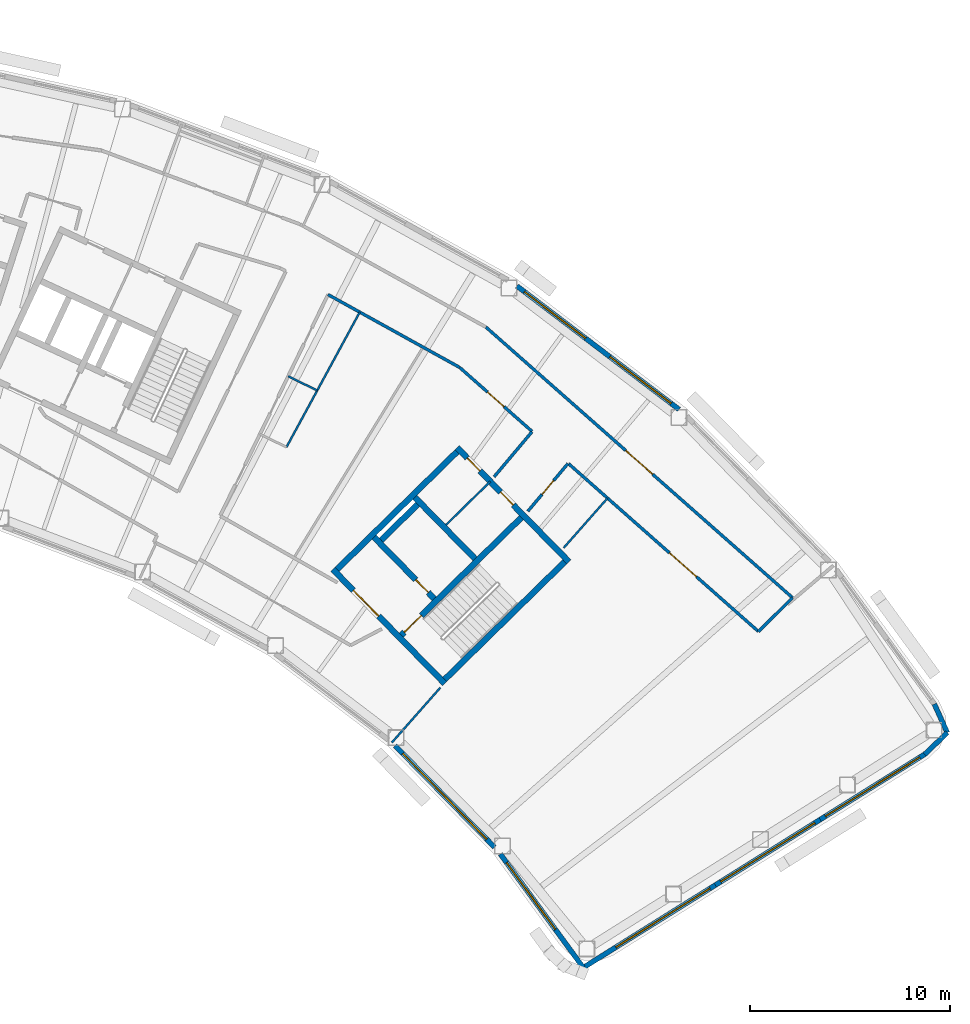
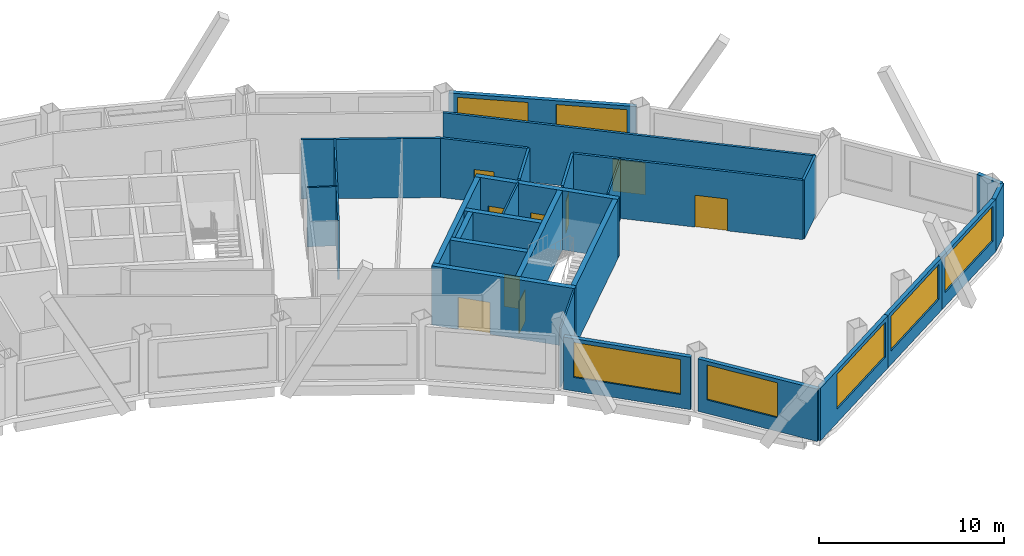
# One storey, part 9 of 14: 28 walls, 9 doors, 7 windows, 16 openings.
"""IFC4 building model written with IfcOpenShell, lengths in metres."""

from ifc_helpers import new_model, si_unit, direction, frame, frame_2d, origin, place, context, subcontext, project, spatial, rectangle, extrude, material, layer, layer_set, type_object, element, fill, save


model = new_model("IFC4")

# Units and contexts
model_context = context("Model", 3, precision=1e-05, world=origin(), true_north=direction((0.0, 1.0)))
body_context = subcontext(model_context, "Body", "Model", "MODEL_VIEW")
ifc_project = project(units=[si_unit("LENGTHUNIT", "METRE"), si_unit("AREAUNIT", "SQUARE_METRE"), si_unit("VOLUMEUNIT", "CUBIC_METRE"), si_unit("PLANEANGLEUNIT", "RADIAN"), si_unit("MASSUNIT", "GRAM", prefix="KILO")], contexts=[model_context])

# Site, building, storey
site_placement = place(None, origin())
site = spatial("IfcSite", under=ifc_project, at=site_placement, CompositionType="ELEMENT")
building_placement = place(site_placement, origin())
building = spatial("IfcBuilding", under=site, at=building_placement, Name="Tuul Gate Civic Tower", CompositionType="ELEMENT")
storey_placement = place(building_placement, frame((0.0, 0.0, 256.800048828125)))
storey = spatial("IfcBuildingStorey", under=building, at=storey_placement, Name="Level 58", CompositionType="ELEMENT", Elevation=256.800048828125)

# Wall, opening, door
ifc_material_1 = material(Name="Concrete C50/60", Category="concrete")
ifc_layer_1 = layer(ifc_material_1, 0.300048828125)
ifc_layer_set_1 = layer_set([ifc_layer_1], Name="Concrete C50/60")
wall_type_1 = type_object("IfcWallType", Name="Core wall C50/60", PredefinedType="SHEAR", material=ifc_layer_set_1)
wall_1_placement = place(storey_placement, frame((48.22509765625, -18.327880859375, 0.0), z_axis=(0.0, 0.0, 1.0), x_axis=(-0.700021979774, 0.714121297703, 0.0)))
wall_1 = element("IfcWall", 1, at=wall_1_placement, inside=storey, type_object=wall_type_1, Name="Core wall", PredefinedType="SHEAR", context=body_context, shape_type="SweptSolid", body=[
    extrude(rectangle(XDim=8.0, YDim=0.300048828125, at=frame_2d((4.0, 0.0))), origin(), (0.0, 0.0, 1.0), 3.89990234375),
])
opening_1_placement = place(wall_1_placement, frame((4.72509765625, 0.0, 0.0)))
opening_1 = element("IfcOpeningElement", 2, at=opening_1_placement, cuts=wall_1, Name="Opening LB-E1-LOBBY-1", PredefinedType="OPENING", context=body_context, shape_type="SweptSolid", body=[
    extrude(rectangle(XDim=1.800048828125, YDim=2.10009765625, at=frame_2d((0.89990234375, 1.050048828125))), frame((0.0, 0.16015625, 0.0), z_axis=(0.0, -1.0, 0.0), x_axis=(1.0, 0.0, 0.0)), (0.0, 0.0, 1.0), 0.320068359375),
])
ifc_material_2 = material(Name="Steel", Category="steel")
door_type_1 = type_object("IfcDoorType", Name="Lobby door", OperationType="DOUBLE_DOOR_SINGLE_SWING", PredefinedType="DOOR", material=ifc_material_2)
door_1_placement = place(opening_1_placement, frame((1.800048828125, 0.0, 0.0), z_axis=(0.0, 0.0, 1.0), x_axis=(-1.0, 0.0, 0.0)))
door_1 = element("IfcDoor", 3, at=door_1_placement, inside=storey, type_object=door_type_1, Name="Lobby door E1-LOBBY", OperationType="DOUBLE_DOOR_SINGLE_SWING", OverallHeight=2.10009765625, OverallWidth=1.800048828125, PredefinedType="DOOR", context=body_context, shape_type="SweptSolid", body=[
    extrude(rectangle(XDim=1.800048828125, YDim=2.10009765625, at=frame_2d((0.900146484375, 1.050048828125))), frame((0.0, 0.02490234375, 0.0), z_axis=(0.0, -1.0, 0.0), x_axis=(1.0, 0.0, 0.0)), (0.0, 0.0, 1.0), 0.050048828125),
])
fill(opening_1, door_1)

wall_2_placement = place(storey_placement, frame((47.701904296875, -14.079833984375, 0.0), z_axis=(0.0, 0.0, 1.0), x_axis=(-0.700002721075, 0.714140175657, 0.0)))
wall_2 = element("IfcWall", 4, at=wall_2_placement, inside=storey, type_object=wall_type_1, Name="Core wall", PredefinedType="SHEAR", context=body_context, shape_type="SweptSolid", body=[
    extrude(rectangle(XDim=4.300048828125, YDim=0.300048828125, at=frame_2d((2.14990234375, 0.0))), origin(), (0.0, 0.0, 1.0), 3.89990234375),
])
opening_2_placement = place(wall_2_placement, frame((0.425048828125, 0.0, 0.0)))
opening_2 = element("IfcOpeningElement", 5, at=opening_2_placement, cuts=wall_2, Name="Opening FB-E1A1", PredefinedType="OPENING", context=body_context, shape_type="SweptSolid", body=[
    extrude(rectangle(XDim=0.89990234375, YDim=2.10009765625, at=frame_2d((0.449951171875, 1.050048828125))), frame((0.0, 0.16015625, 0.0), z_axis=(0.0, -1.0, 0.0), x_axis=(1.0, 0.0, 0.0)), (0.0, 0.0, 1.0), 0.320068359375),
])
ifc_material_3 = material(Name="Steel", Category="steel")
door_type_2 = type_object("IfcDoorType", Name="Store door", OperationType="NOTDEFINED", PredefinedType="DOOR", material=ifc_material_3)
door_2_placement = place(opening_2_placement, frame((0.89990234375, 0.0, 0.0), z_axis=(0.0, 0.0, 1.0), x_axis=(-1.0, 0.0, 0.0)))
door_2 = element("IfcDoor", 6, at=door_2_placement, inside=storey, type_object=door_type_2, Name="Store door E1A1", OperationType="SINGLE_SWING_RIGHT", OverallHeight=2.10009765625, OverallWidth=0.89990234375, PredefinedType="DOOR", context=body_context, shape_type="SweptSolid", body=[
    extrude(rectangle(XDim=0.89990234375, YDim=2.10009765625, at=frame_2d((0.449951171875, 1.050048828125))), frame((0.0, 0.02490234375, 0.0), z_axis=(0.0, -1.0, 0.0), x_axis=(1.0, 0.0, 0.0)), (0.0, 0.0, 1.0), 0.050048828125),
])
fill(opening_2, door_2)

# Wall
wall_3_placement = place(storey_placement, frame((49.737060546875, -12.0849609375, 0.0), z_axis=(0.0, 0.0, 1.0), x_axis=(-0.700002721075, 0.714140175657, 0.0)))
element("IfcWall", 7, at=wall_3_placement, inside=storey, type_object=wall_type_1, Name="Core wall", PredefinedType="SHEAR", context=body_context, shape_type="SweptSolid", body=[
    extrude(rectangle(XDim=4.300048828125, YDim=0.300048828125, at=frame_2d((2.14990234375, 0.0))), origin(), (0.0, 0.0, 1.0), 3.89990234375),
])

# Wall, openings, doors
wall_4_placement = place(storey_placement, frame((54.43798828125, -12.23779296875, 0.0), z_axis=(0.0, 0.0, 1.0), x_axis=(-0.700021979774, 0.714121297703, 0.0)))
wall_4 = element("IfcWall", 8, at=wall_4_placement, inside=storey, type_object=wall_type_1, Name="Core wall", PredefinedType="SHEAR", context=body_context, shape_type="SweptSolid", body=[
    extrude(rectangle(XDim=8.0, YDim=0.300048828125, at=frame_2d((4.0, 0.0))), origin(), (0.0, 0.0, 1.0), 3.89990234375),
])
opening_3_placement = place(wall_4_placement, frame((3.987548828125, 0.0, 0.0)))
opening_3 = element("IfcOpeningElement", 9, at=opening_3_placement, cuts=wall_4, Name="Opening V-D28", PredefinedType="OPENING", context=body_context, shape_type="SweptSolid", body=[
    extrude(rectangle(XDim=0.89990234375, YDim=2.10009765625, at=frame_2d((0.449951171875, 1.050048828125))), frame((0.0, 0.16015625, 0.0), z_axis=(0.0, -1.0, 0.0), x_axis=(1.0, 0.0, 0.0)), (0.0, 0.0, 1.0), 0.320068359375),
])
opening_4_placement = place(wall_4_placement, frame((6.362548828125, 0.0, 0.0)))
opening_4 = element("IfcOpeningElement", 10, at=opening_4_placement, cuts=wall_4, Name="Opening V-D29", PredefinedType="OPENING", context=body_context, shape_type="SweptSolid", body=[
    extrude(rectangle(XDim=0.89990234375, YDim=2.10009765625, at=frame_2d((0.449951171875, 1.050048828125))), frame((0.0, 0.16015625, 0.0), z_axis=(0.0, -1.0, 0.0), x_axis=(1.0, 0.0, 0.0)), (0.0, 0.0, 1.0), 0.320068359375),
])
ifc_material_4 = material(Name="Timber door leaf", Category="wood")
door_type_3 = type_object("IfcDoorType", Name="Door D09", OperationType="NOTDEFINED", PredefinedType="DOOR", material=ifc_material_4)
door_3_placement = place(opening_3_placement, origin())
door_3 = element("IfcDoor", 11, at=door_3_placement, inside=storey, type_object=door_type_3, Name="Door V-D28", OperationType="SINGLE_SWING_LEFT", OverallHeight=2.10009765625, OverallWidth=0.89990234375, PredefinedType="DOOR", context=body_context, shape_type="SweptSolid", body=[
    extrude(rectangle(XDim=0.89990234375, YDim=2.10009765625, at=frame_2d((0.449951171875, 1.050048828125))), frame((0.0, 0.02490234375, 0.0), z_axis=(0.0, -1.0, 0.0), x_axis=(1.0, 0.0, 0.0)), (0.0, 0.0, 1.0), 0.050048828125),
])
fill(opening_3, door_3)
door_4_placement = place(opening_4_placement, origin())
door_4 = element("IfcDoor", 12, at=door_4_placement, inside=storey, type_object=door_type_3, Name="Door V-D29", OperationType="SINGLE_SWING_LEFT", OverallHeight=2.10009765625, OverallWidth=0.89990234375, PredefinedType="DOOR", context=body_context, shape_type="SweptSolid", body=[
    extrude(rectangle(XDim=0.89990234375, YDim=2.10009765625, at=frame_2d((0.449951171875, 1.050048828125))), frame((0.0, 0.02490234375, 0.0), z_axis=(0.0, -1.0, 0.0), x_axis=(1.0, 0.0, 0.0)), (0.0, 0.0, 1.0), 0.050048828125),
])
fill(opening_4, door_4)

# Wall
wall_5_placement = place(storey_placement, frame((48.227294921875, -18.115966796875, 0.0), z_axis=(0.0, 0.0, 1.0), x_axis=(0.714105315431, 0.700038283577, 0.0)))
element("IfcWall", 13, at=wall_5_placement, inside=storey, type_object=wall_type_1, Name="Core wall", PredefinedType="SHEAR", context=body_context, shape_type="SweptSolid", body=[
    extrude(rectangle(XDim=8.400146484375, YDim=0.300048828125, at=frame_2d((4.2001953125, 0.0))), origin(), (0.0, 0.0, 1.0), 3.89990234375),
])

# Wall, opening, door
wall_6_placement = place(storey_placement, frame((46.05712890625, -15.902099609375, 0.0), z_axis=(0.0, 0.0, 1.0), x_axis=(0.714134086973, 0.700008932674, 0.0)))
wall_6 = element("IfcWall", 14, at=wall_6_placement, inside=storey, type_object=wall_type_1, Name="Core wall", PredefinedType="SHEAR", context=body_context, shape_type="SweptSolid", body=[
    extrude(rectangle(XDim=8.400146484375, YDim=0.300048828125, at=frame_2d((4.2001953125, 0.0))), origin(), (0.0, 0.0, 1.0), 3.89990234375),
])
opening_5_placement = place(wall_6_placement, frame((0.199951171875, 0.0, 0.0)))
opening_5 = element("IfcOpeningElement", 15, at=opening_5_placement, cuts=wall_6, Name="Opening SD-ST-3", PredefinedType="OPENING", context=body_context, shape_type="SweptSolid", body=[
    extrude(rectangle(XDim=1.199951171875, YDim=2.10009765625, at=frame_2d((0.60009765625, 1.050048828125))), frame((0.0, 0.16015625, 0.0), z_axis=(0.0, -1.0, 0.0), x_axis=(1.0, 0.0, 0.0)), (0.0, 0.0, 1.0), 0.320068359375),
])
ifc_material_5 = material(Name="Steel", Category="steel")
door_type_4 = type_object("IfcDoorType", Name="Stair door", OperationType="NOTDEFINED", PredefinedType="DOOR", material=ifc_material_5)
door_5_placement = place(opening_5_placement, origin())
door_5 = element("IfcDoor", 16, at=door_5_placement, inside=storey, type_object=door_type_4, Name="Stair door ST-3", OperationType="SINGLE_SWING_LEFT", OverallHeight=2.10009765625, OverallWidth=1.199951171875, PredefinedType="DOOR", context=body_context, shape_type="SweptSolid", body=[
    extrude(rectangle(XDim=1.199951171875, YDim=2.10009765625, at=frame_2d((0.60009765625, 1.050048828125))), frame((0.0, 0.02490234375, 0.0), z_axis=(0.0, -1.0, 0.0), x_axis=(1.0, 0.0, 0.0)), (0.0, 0.0, 1.0), 0.050048828125),
])
fill(opening_5, door_5)

# Walls
wall_7_placement = place(storey_placement, frame((45.0439453125, -11.154052734375, 0.0), z_axis=(0.0, 0.0, 1.0), x_axis=(0.714108498262, 0.700035036773, 0.0)))
element("IfcWall", 17, at=wall_7_placement, inside=storey, type_object=wall_type_1, Name="Core wall", PredefinedType="SHEAR", context=body_context, shape_type="SweptSolid", body=[
    extrude(rectangle(XDim=2.550048828125, YDim=0.300048828125, at=frame_2d((1.27490234375, 0.0))), origin(), (0.0, 0.0, 1.0), 3.89990234375),
])
wall_8_placement = place(storey_placement, frame((42.837158203125, -12.616943359375, 0.0), z_axis=(0.0, 0.0, 1.0), x_axis=(0.714119844755, 0.700023461983, 0.0)))
element("IfcWall", 18, at=wall_8_placement, inside=storey, type_object=wall_type_1, Name="Core wall", PredefinedType="SHEAR", context=body_context, shape_type="SweptSolid", body=[
    extrude(rectangle(XDim=8.39990234375, YDim=0.300048828125, at=frame_2d((4.199951171875, 0.0))), origin(), (0.0, 0.0, 1.0), 3.89990234375),
])
ifc_material_6 = material(Name="Gypsum board partition")
ifc_layer_2 = layer(ifc_material_6, 0.14990234375)
ifc_layer_set_2 = layer_set([ifc_layer_2], Name="Gypsum board partition")
wall_type_2 = type_object("IfcWallType", Name="Corridor wall P150", PredefinedType="PARTITIONING", material=ifc_layer_set_2)
wall_9_placement = place(storey_placement, frame((63.91015625, -15.72119140625, 0.0), z_axis=(0.0, 0.0, 1.0), x_axis=(0.711669598432, 0.702514329155, 0.0)))
element("IfcWall", 19, at=wall_9_placement, inside=storey, type_object=wall_type_2, Name="p005", PredefinedType="PARTITIONING", context=body_context, shape_type="SweptSolid", body=[
    extrude(rectangle(XDim=2.39990234375, YDim=0.14990234375, at=frame_2d((1.199951171875, 0.0))), origin(), (0.0, 0.0, 1.0), 3.89990234375),
])

# Wall, opening, door
wall_10_placement = place(storey_placement, frame((50.28125, -0.499267578125, 0.0), z_axis=(0.0, 0.0, 1.0), x_axis=(0.749757392986, -0.661712816608, 0.0)))
wall_10 = element("IfcWall", 20, at=wall_10_placement, inside=storey, type_object=wall_type_2, Name="p006", PredefinedType="PARTITIONING", context=body_context, shape_type="SweptSolid", body=[
    extrude(rectangle(XDim=20.455810546875, YDim=0.14990234375, at=frame_2d((10.22802734375, 0.0))), origin(), (0.0, 0.0, 1.0), 3.89990234375),
])
opening_6_placement = place(wall_10_placement, frame((9.327880859375, 0.0, 0.0)))
opening_6 = element("IfcOpeningElement", 21, at=opening_6_placement, cuts=wall_10, Name="Opening V-D01", PredefinedType="OPENING", context=body_context, shape_type="SweptSolid", body=[
    extrude(rectangle(XDim=1.800048828125, YDim=2.10009765625, at=frame_2d((0.89990234375, 1.050048828125))), frame((0.0, 0.0849609375, 0.0), z_axis=(0.0, -1.0, 0.0), x_axis=(1.0, 0.0, 0.0)), (0.0, 0.0, 1.0), 0.169921875),
])
ifc_material_7 = material(Name="Timber door leaf, double", Category="wood")
door_type_5 = type_object("IfcDoorType", Name="Door D18", OperationType="DOUBLE_DOOR_SINGLE_SWING", PredefinedType="DOOR", material=ifc_material_7)
door_6_placement = place(opening_6_placement, origin())
door_6 = element("IfcDoor", 22, at=door_6_placement, inside=storey, type_object=door_type_5, Name="Door V-D01", OperationType="DOUBLE_DOOR_SINGLE_SWING", OverallHeight=2.10009765625, OverallWidth=1.800048828125, PredefinedType="DOOR", context=body_context, shape_type="SweptSolid", body=[
    extrude(rectangle(XDim=1.800048828125, YDim=2.10009765625, at=frame_2d((0.89990234375, 1.050048828125))), frame((0.0, 0.02490234375, 0.0), z_axis=(0.0, -1.0, 0.0), x_axis=(1.0, 0.0, 0.0)), (0.0, 0.0, 1.0), 0.050048828125),
])
fill(opening_6, door_6)

wall_11_placement = place(storey_placement, frame((48.968017578125, -2.51611328125, 0.0), z_axis=(0.0, 0.0, 1.0), x_axis=(0.749324996254, -0.662202423726, 0.0)))
wall_11 = element("IfcWall", 23, at=wall_11_placement, inside=storey, type_object=wall_type_2, Name="p049", PredefinedType="PARTITIONING", context=body_context, shape_type="SweptSolid", body=[
    extrude(rectangle(XDim=4.82275390625, YDim=0.14990234375, at=frame_2d((2.411376953125, 0.0))), origin(), (0.0, 0.0, 1.0), 3.89990234375),
])
opening_7_placement = place(wall_11_placement, frame((1.861572265625, 0.0, 0.0)))
opening_7 = element("IfcOpeningElement", 24, at=opening_7_placement, cuts=wall_11, Name="Opening V-D17", PredefinedType="OPENING", context=body_context, shape_type="SweptSolid", body=[
    extrude(rectangle(XDim=1.10009765625, YDim=2.10009765625, at=frame_2d((0.550048828125, 1.050048828125))), frame((0.0, 0.0849609375, 0.0), z_axis=(0.0, -1.0, 0.0), x_axis=(1.0, 0.0, 0.0)), (0.0, 0.0, 1.0), 0.169921875),
])
ifc_material_8 = material(Name="Timber door leaf", Category="wood")
door_type_6 = type_object("IfcDoorType", Name="Door D11", OperationType="NOTDEFINED", PredefinedType="DOOR", material=ifc_material_8)
door_7_placement = place(opening_7_placement, frame((1.10009765625, 0.0, 0.0), z_axis=(0.0, 0.0, 1.0), x_axis=(-1.0, 0.0, 0.0)))
door_7 = element("IfcDoor", 25, at=door_7_placement, inside=storey, type_object=door_type_6, Name="Door V-D17", OperationType="SINGLE_SWING_LEFT", OverallHeight=2.10009765625, OverallWidth=1.10009765625, PredefinedType="DOOR", context=body_context, shape_type="SweptSolid", body=[
    extrude(rectangle(XDim=1.10009765625, YDim=2.10009765625, at=frame_2d((0.550048828125, 1.050048828125))), frame((0.0, 0.02490234375, 0.0), z_axis=(0.0, -1.0, 0.0), x_axis=(1.0, 0.0, 0.0)), (0.0, 0.0, 1.0), 0.050048828125),
])
fill(opening_7, door_7)

wall_12_placement = place(storey_placement, frame((54.41064453125, -7.326171875, 0.0), z_axis=(0.0, 0.0, 1.0), x_axis=(0.749325085344, -0.662202322915, 0.0)))
wall_12 = element("IfcWall", 26, at=wall_12_placement, inside=storey, type_object=wall_type_2, Name="p050", PredefinedType="PARTITIONING", context=body_context, shape_type="SweptSolid", body=[
    extrude(rectangle(XDim=12.677490234375, YDim=0.14990234375, at=frame_2d((6.3388671875, 0.0))), origin(), (0.0, 0.0, 1.0), 3.89990234375),
])
opening_8_placement = place(wall_12_placement, frame((6.7431640625, 0.0, 0.0)))
opening_8 = element("IfcOpeningElement", 27, at=opening_8_placement, cuts=wall_12, Name="Opening V-D08", PredefinedType="OPENING", context=body_context, shape_type="SweptSolid", body=[
    extrude(rectangle(XDim=1.800048828125, YDim=2.10009765625, at=frame_2d((0.89990234375, 1.050048828125))), frame((0.0, 0.0849609375, 0.0), z_axis=(0.0, -1.0, 0.0), x_axis=(1.0, 0.0, 0.0)), (0.0, 0.0, 1.0), 0.169921875),
])
door_8_placement = place(opening_8_placement, frame((1.800048828125, 0.0, 0.0), z_axis=(0.0, 0.0, 1.0), x_axis=(-1.0, 0.0, 0.0)))
door_8 = element("IfcDoor", 28, at=door_8_placement, inside=storey, type_object=door_type_5, Name="Door V-D08", OperationType="DOUBLE_DOOR_SINGLE_SWING", OverallHeight=2.10009765625, OverallWidth=1.800048828125, PredefinedType="DOOR", context=body_context, shape_type="SweptSolid", body=[
    extrude(rectangle(XDim=1.800048828125, YDim=2.10009765625, at=frame_2d((0.900146484375, 1.050048828125))), frame((0.0, 0.02490234375, 0.0), z_axis=(0.0, -1.0, 0.0), x_axis=(1.0, 0.0, 0.0)), (0.0, 0.0, 1.0), 0.050048828125),
])
fill(opening_8, door_8)

wall_13_placement = place(storey_placement, frame((52.3798828125, -9.709228515625, 0.0), z_axis=(0.0, 0.0, 1.0), x_axis=(0.643582174705, 0.765377021083, 0.0)))
wall_13 = element("IfcWall", 29, at=wall_13_placement, inside=storey, type_object=wall_type_2, Name="p051", PredefinedType="PARTITIONING", context=body_context, shape_type="SweptSolid", body=[
    extrude(rectangle(XDim=3.111083984375, YDim=0.14990234375, at=frame_2d((1.5556640625, 0.0))), origin(), (0.0, 0.0, 1.0), 3.89990234375),
])
opening_9_placement = place(wall_13_placement, frame((1.10546875, 0.0, 0.0)))
opening_9 = element("IfcOpeningElement", 30, at=opening_9_placement, cuts=wall_13, Name="Opening V-D09", PredefinedType="OPENING", context=body_context, shape_type="SweptSolid", body=[
    extrude(rectangle(XDim=0.89990234375, YDim=2.10009765625, at=frame_2d((0.449951171875, 1.050048828125))), frame((0.0, 0.0849609375, 0.0), z_axis=(0.0, -1.0, 0.0), x_axis=(1.0, 0.0, 0.0)), (0.0, 0.0, 1.0), 0.169921875),
])
door_9_placement = place(opening_9_placement, frame((0.89990234375, 0.0, 0.0), z_axis=(0.0, 0.0, 1.0), x_axis=(-1.0, 0.0, 0.0)))
door_9 = element("IfcDoor", 31, at=door_9_placement, inside=storey, type_object=door_type_3, Name="Door V-D09", OperationType="SINGLE_SWING_LEFT", OverallHeight=2.10009765625, OverallWidth=0.89990234375, PredefinedType="DOOR", context=body_context, shape_type="SweptSolid", body=[
    extrude(rectangle(XDim=0.89990234375, YDim=2.10009765625, at=frame_2d((0.449951171875, 1.050048828125))), frame((0.0, 0.02490234375, 0.0), z_axis=(0.0, -1.0, 0.0), x_axis=(1.0, 0.0, 0.0)), (0.0, 0.0, 1.0), 0.050048828125),
])
fill(opening_9, door_9)

# Walls
wall_14_placement = place(storey_placement, frame((42.386474609375, 1.126708984375, 0.0), z_axis=(0.0, 0.0, 1.0), x_axis=(0.874960280829, -0.484194699446, 0.0)))
element("IfcWall", 32, at=wall_14_placement, inside=storey, type_object=wall_type_2, Name="p088", PredefinedType="PARTITIONING", context=body_context, shape_type="SweptSolid", body=[
    extrude(rectangle(XDim=7.517822265625, YDim=0.14990234375, at=frame_2d((3.7587890625, 0.0))), origin(), (0.0, 0.0, 1.0), 3.89990234375),
])
wall_15_placement = place(storey_placement, frame((50.692138671875, -7.9873046875, 0.0), z_axis=(0.0, 0.0, 1.0), x_axis=(0.643601041613, 0.765361156079, 0.0)))
element("IfcWall", 33, at=wall_15_placement, inside=storey, type_object=wall_type_2, Name="p089", PredefinedType="PARTITIONING", context=body_context, shape_type="SweptSolid", body=[
    extrude(rectangle(XDim=2.939453125, YDim=0.14990234375, at=frame_2d((1.4697265625, 0.0))), origin(), (0.0, 0.0, 1.0), 3.89990234375),
])
ifc_material_9 = material(Name="Precast concrete C40/50", Category="concrete")
ifc_layer_3 = layer(ifc_material_9, 0.25)
ifc_layer_set_3 = layer_set([ifc_layer_3], Name="Precast concrete C40/50")
wall_type_3 = type_object("IfcWallType", Name="External wall", PredefinedType="STANDARD", material=ifc_layer_set_3)
wall_16_placement = place(storey_placement, frame((72.2216796875, -21.86669921875, 0.0), z_axis=(0.0, 0.0, 1.0), x_axis=(0.722783622894, 0.69107440589, 0.0)))
element("IfcWall", 34, at=wall_16_placement, inside=storey, type_object=wall_type_3, Name="External wall", PredefinedType="STANDARD", context=body_context, shape_type="SweptSolid", body=[
    extrude(rectangle(XDim=1.570556640625, YDim=0.25, at=frame_2d((0.78515625, 0.0))), origin(), (0.0, 0.0, 1.0), 3.449951171875),
])
wall_17_placement = place(storey_placement, frame((73.35693359375, -20.78125, 0.0), z_axis=(0.0, 0.0, 1.0), x_axis=(-0.412995937313, 0.9107328674, 0.0)))
element("IfcWall", 35, at=wall_17_placement, inside=storey, type_object=wall_type_3, Name="External wall", PredefinedType="STANDARD", context=body_context, shape_type="SweptSolid", body=[
    extrude(rectangle(XDim=1.572998046875, YDim=0.25, at=frame_2d((0.78662109375, 0.0))), origin(), (0.0, 0.0, 1.0), 3.449951171875),
])

# Wall, openings, windows
wall_18_placement = place(storey_placement, frame((59.9404296875, -4.616943359375, 0.0), z_axis=(0.0, 0.0, 1.0), x_axis=(-0.795654969417, 0.605750088437, 0.0)))
wall_18 = element("IfcWall", 36, at=wall_18_placement, inside=storey, type_object=wall_type_3, Name="External wall", PredefinedType="STANDARD", context=body_context, shape_type="SweptSolid", body=[
    extrude(rectangle(XDim=10.189697265625, YDim=0.25, at=frame_2d((5.0947265625, 0.0))), origin(), (0.0, 0.0, 1.0), 3.449951171875),
])
opening_10_placement = place(wall_18_placement, frame((0.49560546875, 0.0, 0.89990234375)))
opening_10 = element("IfcOpeningElement", 37, at=opening_10_placement, cuts=wall_18, Name="Opening W22", PredefinedType="OPENING", context=body_context, shape_type="SweptSolid", body=[
    extrude(rectangle(XDim=3.85009765625, YDim=2.300048828125, at=frame_2d((1.925048828125, 1.14990234375))), frame((0.0, 0.135009765625, 0.0), z_axis=(0.0, -1.0, 0.0), x_axis=(1.0, 0.0, 0.0)), (0.0, 0.0, 1.0), 0.27001953125),
])
opening_11_placement = place(wall_18_placement, frame((5.86669921875, 0.0, 0.89990234375)))
opening_11 = element("IfcOpeningElement", 38, at=opening_11_placement, cuts=wall_18, Name="Opening W22", PredefinedType="OPENING", context=body_context, shape_type="SweptSolid", body=[
    extrude(rectangle(XDim=3.85009765625, YDim=2.300048828125, at=frame_2d((1.925048828125, 1.14990234375))), frame((0.0, 0.135009765625, 0.0), z_axis=(0.0, -1.0, 0.0), x_axis=(1.0, 0.0, 0.0)), (0.0, 0.0, 1.0), 0.27001953125),
])
ifc_material_10 = material(Name="Glass", Category="glass")
window_type_1 = type_object("IfcWindowType", Name="Window W22 3850 x 2300", PartitioningType="SINGLE_PANEL", PredefinedType="WINDOW", material=ifc_material_10)
window_1_placement = place(opening_10_placement, origin())
window_1 = element("IfcWindow", 39, at=window_1_placement, inside=storey, type_object=window_type_1, Name="Window", OverallHeight=2.300048828125, OverallWidth=3.85009765625, PartitioningType="SINGLE_PANEL", PredefinedType="WINDOW", context=body_context, shape_type="SweptSolid", body=[
    extrude(rectangle(XDim=3.85009765625, YDim=2.300048828125, at=frame_2d((1.925048828125, 1.14990234375))), frame((0.0, 0.030029296875, 0.0), z_axis=(0.0, -1.0, 0.0), x_axis=(1.0, 0.0, 0.0)), (0.0, 0.0, 1.0), 0.06005859375),
])
fill(opening_10, window_1)
window_2_placement = place(opening_11_placement, origin())
window_2 = element("IfcWindow", 40, at=window_2_placement, inside=storey, type_object=window_type_1, Name="Window", OverallHeight=2.300048828125, OverallWidth=3.85009765625, PartitioningType="SINGLE_PANEL", PredefinedType="WINDOW", context=body_context, shape_type="SweptSolid", body=[
    extrude(rectangle(XDim=3.85009765625, YDim=2.300048828125, at=frame_2d((1.925048828125, 1.14990234375))), frame((0.0, 0.030029296875, 0.0), z_axis=(0.0, -1.0, 0.0), x_axis=(1.0, 0.0, 0.0)), (0.0, 0.0, 1.0), 0.06005859375),
])
fill(opening_11, window_2)

# Wall, opening, window
wall_19_placement = place(storey_placement, frame((45.73486328125, -21.428955078125, 0.0), z_axis=(0.0, 0.0, 1.0), x_axis=(0.700015105418, -0.714128036269, 0.0)))
wall_19 = element("IfcWall", 41, at=wall_19_placement, inside=storey, type_object=wall_type_3, Name="External wall", PredefinedType="STANDARD", context=body_context, shape_type="SweptSolid", body=[
    extrude(rectangle(XDim=7.10986328125, YDim=0.25, at=frame_2d((3.554931640625, 0.0))), origin(), (0.0, 0.0, 1.0), 3.449951171875),
])
opening_12_placement = place(wall_19_placement, frame((0.553955078125, 0.0, 0.89990234375)))
opening_12 = element("IfcOpeningElement", 42, at=opening_12_placement, cuts=wall_19, Name="Opening W26", PredefinedType="OPENING", context=body_context, shape_type="SweptSolid", body=[
    extrude(rectangle(XDim=6.0, YDim=2.300048828125, at=frame_2d((3.0, 1.14990234375))), frame((0.0, 0.135009765625, 0.0), z_axis=(0.0, -1.0, 0.0), x_axis=(1.0, 0.0, 0.0)), (0.0, 0.0, 1.0), 0.27001953125),
])
ifc_material_11 = material(Name="Glass", Category="glass")
window_type_2 = type_object("IfcWindowType", Name="Window W26 6000 x 2300", PartitioningType="SINGLE_PANEL", PredefinedType="WINDOW", material=ifc_material_11)
window_3_placement = place(opening_12_placement, origin())
window_3 = element("IfcWindow", 43, at=window_3_placement, inside=storey, type_object=window_type_2, Name="Window", OverallHeight=2.300048828125, OverallWidth=6.0, PartitioningType="SINGLE_PANEL", PredefinedType="WINDOW", context=body_context, shape_type="SweptSolid", body=[
    extrude(rectangle(XDim=6.0, YDim=2.300048828125, at=frame_2d((3.0, 1.14990234375))), frame((0.0, 0.030029296875, 0.0), z_axis=(0.0, -1.0, 0.0), x_axis=(1.0, 0.0, 0.0)), (0.0, 0.0, 1.0), 0.06005859375),
])
fill(opening_12, window_3)

wall_20_placement = place(storey_placement, frame((51.001708984375, -26.85009765625, 0.0), z_axis=(0.0, 0.0, 1.0), x_axis=(0.589734649771, -0.807597079526, 0.0)))
wall_20 = element("IfcWall", 44, at=wall_20_placement, inside=storey, type_object=wall_type_3, Name="External wall", PredefinedType="STANDARD", context=body_context, shape_type="SweptSolid", body=[
    extrude(rectangle(XDim=7.03515625, YDim=0.25, at=frame_2d((3.517578125, 0.0))), origin(), (0.0, 0.0, 1.0), 3.449951171875),
])
opening_13_placement = place(wall_20_placement, frame((0.527587890625, 0.0, 0.89990234375)))
opening_13 = element("IfcOpeningElement", 45, at=opening_13_placement, cuts=wall_20, Name="Opening W25", PredefinedType="OPENING", context=body_context, shape_type="SweptSolid", body=[
    extrude(rectangle(XDim=4.14990234375, YDim=2.300048828125, at=frame_2d((2.074951171875, 1.14990234375))), frame((0.0, 0.135009765625, 0.0), z_axis=(0.0, -1.0, 0.0), x_axis=(1.0, 0.0, 0.0)), (0.0, 0.0, 1.0), 0.27001953125),
])
ifc_material_12 = material(Name="Glass", Category="glass")
window_type_3 = type_object("IfcWindowType", Name="Window W25 4150 x 2300", PartitioningType="SINGLE_PANEL", PredefinedType="WINDOW", material=ifc_material_12)
window_4_placement = place(opening_13_placement, origin())
window_4 = element("IfcWindow", 46, at=window_4_placement, inside=storey, type_object=window_type_3, Name="Window", OverallHeight=2.300048828125, OverallWidth=4.14990234375, PartitioningType="SINGLE_PANEL", PredefinedType="WINDOW", context=body_context, shape_type="SweptSolid", body=[
    extrude(rectangle(XDim=4.14990234375, YDim=2.300048828125, at=frame_2d((2.074951171875, 1.14990234375))), frame((0.0, 0.030029296875, 0.0), z_axis=(0.0, -1.0, 0.0), x_axis=(1.0, 0.0, 0.0)), (0.0, 0.0, 1.0), 0.06005859375),
])
fill(opening_13, window_4)

wall_21_placement = place(storey_placement, frame((55.150634765625, -32.53173828125, 0.0), z_axis=(0.0, 0.0, 1.0), x_axis=(0.848019436648, 0.529965126274, 0.0)))
wall_21 = element("IfcWall", 47, at=wall_21_placement, inside=storey, type_object=wall_type_3, Name="External wall", PredefinedType="STANDARD", context=body_context, shape_type="SweptSolid", body=[
    extrude(rectangle(XDim=7.7880859375, YDim=0.25, at=frame_2d((3.89404296875, 0.0))), origin(), (0.0, 0.0, 1.0), 3.449951171875),
])
opening_14_placement = place(wall_21_placement, frame((1.921630859375, 0.0, 0.89990234375)))
opening_14 = element("IfcOpeningElement", 48, at=opening_14_placement, cuts=wall_21, Name="Opening W24", PredefinedType="OPENING", context=body_context, shape_type="SweptSolid", body=[
    extrude(rectangle(XDim=5.550048828125, YDim=2.300048828125, at=frame_2d((2.77490234375, 1.14990234375))), frame((0.0, 0.135009765625, 0.0), z_axis=(0.0, -1.0, 0.0), x_axis=(1.0, 0.0, 0.0)), (0.0, 0.0, 1.0), 0.27001953125),
])
ifc_material_13 = material(Name="Glass", Category="glass")
window_type_4 = type_object("IfcWindowType", Name="Window W24 5550 x 2300", PartitioningType="SINGLE_PANEL", PredefinedType="WINDOW", material=ifc_material_13)
window_5_placement = place(opening_14_placement, origin())
window_5 = element("IfcWindow", 49, at=window_5_placement, inside=storey, type_object=window_type_4, Name="Window", OverallHeight=2.300048828125, OverallWidth=5.550048828125, PartitioningType="SINGLE_PANEL", PredefinedType="WINDOW", context=body_context, shape_type="SweptSolid", body=[
    extrude(rectangle(XDim=5.550048828125, YDim=2.300048828125, at=frame_2d((2.77490234375, 1.14990234375))), frame((0.0, 0.030029296875, 0.0), z_axis=(0.0, -1.0, 0.0), x_axis=(1.0, 0.0, 0.0)), (0.0, 0.0, 1.0), 0.06005859375),
])
fill(opening_14, window_5)

wall_22_placement = place(storey_placement, frame((61.755126953125, -28.404296875, 0.0), z_axis=(0.0, 0.0, 1.0), x_axis=(0.848036012993, 0.529938600846, 0.0)))
wall_22 = element("IfcWall", 50, at=wall_22_placement, inside=storey, type_object=wall_type_3, Name="External wall", PredefinedType="STANDARD", context=body_context, shape_type="SweptSolid", body=[
    extrude(rectangle(XDim=6.18310546875, YDim=0.25, at=frame_2d((3.091552734375, 0.0))), origin(), (0.0, 0.0, 1.0), 3.449951171875),
])
opening_15_placement = place(wall_22_placement, frame((0.31640625, 0.0, 0.89990234375)))
opening_15 = element("IfcOpeningElement", 51, at=opening_15_placement, cuts=wall_22, Name="Opening W24", PredefinedType="OPENING", context=body_context, shape_type="SweptSolid", body=[
    extrude(rectangle(XDim=5.550048828125, YDim=2.300048828125, at=frame_2d((2.77490234375, 1.14990234375))), frame((0.0, 0.135009765625, 0.0), z_axis=(0.0, -1.0, 0.0), x_axis=(1.0, 0.0, 0.0)), (0.0, 0.0, 1.0), 0.27001953125),
])
window_6_placement = place(opening_15_placement, origin())
window_6 = element("IfcWindow", 52, at=window_6_placement, inside=storey, type_object=window_type_4, Name="Window", OverallHeight=2.300048828125, OverallWidth=5.550048828125, PartitioningType="SINGLE_PANEL", PredefinedType="WINDOW", context=body_context, shape_type="SweptSolid", body=[
    extrude(rectangle(XDim=5.550048828125, YDim=2.300048828125, at=frame_2d((2.77490234375, 1.14990234375))), frame((0.0, 0.030029296875, 0.0), z_axis=(0.0, -1.0, 0.0), x_axis=(1.0, 0.0, 0.0)), (0.0, 0.0, 1.0), 0.06005859375),
])
fill(opening_15, window_6)

wall_23_placement = place(storey_placement, frame((66.99853515625, -25.127685546875, 0.0), z_axis=(0.0, 0.0, 1.0), x_axis=(0.848024923451, 0.529956346509, 0.0)))
wall_23 = element("IfcWall", 53, at=wall_23_placement, inside=storey, type_object=wall_type_3, Name="External wall", PredefinedType="STANDARD", context=body_context, shape_type="SweptSolid", body=[
    extrude(rectangle(XDim=6.182861328125, YDim=0.25, at=frame_2d((3.09130859375, 0.0))), origin(), (0.0, 0.0, 1.0), 3.449951171875),
])
opening_16_placement = place(wall_23_placement, frame((0.31640625, 0.0, 0.89990234375)))
opening_16 = element("IfcOpeningElement", 54, at=opening_16_placement, cuts=wall_23, Name="Opening W24", PredefinedType="OPENING", context=body_context, shape_type="SweptSolid", body=[
    extrude(rectangle(XDim=5.550048828125, YDim=2.300048828125, at=frame_2d((2.77490234375, 1.14990234375))), frame((0.0, 0.135009765625, 0.0), z_axis=(0.0, -1.0, 0.0), x_axis=(1.0, 0.0, 0.0)), (0.0, 0.0, 1.0), 0.27001953125),
])
window_7_placement = place(opening_16_placement, origin())
window_7 = element("IfcWindow", 55, at=window_7_placement, inside=storey, type_object=window_type_4, Name="Window", OverallHeight=2.300048828125, OverallWidth=5.550048828125, PartitioningType="SINGLE_PANEL", PredefinedType="WINDOW", context=body_context, shape_type="SweptSolid", body=[
    extrude(rectangle(XDim=5.550048828125, YDim=2.300048828125, at=frame_2d((2.77490234375, 1.14990234375))), frame((0.0, 0.030029296875, 0.0), z_axis=(0.0, -1.0, 0.0), x_axis=(1.0, 0.0, 0.0)), (0.0, 0.0, 1.0), 0.06005859375),
])
fill(opening_16, window_7)

# Walls
ifc_material_14 = material(Name="Gypsum board partition")
ifc_layer_4 = layer(ifc_material_14, 0.10009765625)
ifc_layer_set_4 = layer_set([ifc_layer_4], Name="Gypsum board partition")
wall_type_4 = type_object("IfcWallType", Name="Partition P100", PredefinedType="PARTITIONING", material=ifc_layer_set_4)
wall_24_placement = place(storey_placement, frame((45.57861328125, -21.27685546875, 0.0), z_axis=(0.0, 0.0, 1.0), x_axis=(0.661687751175, 0.749779514221, 0.0)))
element("IfcWall", 56, at=wall_24_placement, inside=storey, type_object=wall_type_4, Name="p047", PredefinedType="PARTITIONING", context=body_context, shape_type="SweptSolid", body=[
    extrude(rectangle(XDim=3.663818359375, YDim=0.10009765625, at=frame_2d((1.83203125, 0.0))), origin(), (0.0, 0.0, 1.0), 3.89990234375),
])
wall_25_placement = place(storey_placement, frame((54.172607421875, -11.538818359375, 0.0), z_axis=(0.0, 0.0, 1.0), x_axis=(0.661684976326, 0.749781963043, 0.0)))
element("IfcWall", 57, at=wall_25_placement, inside=storey, type_object=wall_type_4, Name="p048", PredefinedType="PARTITIONING", context=body_context, shape_type="SweptSolid", body=[
    extrude(rectangle(XDim=3.314453125, YDim=0.10009765625, at=frame_2d((1.6572265625, 0.0))), origin(), (0.0, 0.0, 1.0), 3.89990234375),
])
wall_26_placement = place(storey_placement, frame((40.30859375, -6.501708984375, 0.0), z_axis=(0.0, 0.0, 1.0), x_axis=(0.477143068786, 0.878825632256, 0.0)))
element("IfcWall", 58, at=wall_26_placement, inside=storey, type_object=wall_type_4, Name="p091", PredefinedType="PARTITIONING", context=body_context, shape_type="SweptSolid", body=[
    extrude(rectangle(XDim=7.6806640625, YDim=0.10009765625, at=frame_2d((3.84033203125, 0.0))), origin(), (0.0, 0.0, 1.0), 3.89990234375),
])
wall_27_placement = place(storey_placement, frame((40.3935546875, -2.95947265625, 0.0), z_axis=(0.0, 0.0, 1.0), x_axis=(0.898822129412, -0.438313563192, 0.0)))
element("IfcWall", 59, at=wall_27_placement, inside=storey, type_object=wall_type_4, Name="p092", PredefinedType="PARTITIONING", context=body_context, shape_type="SweptSolid", body=[
    extrude(rectangle(XDim=1.616943359375, YDim=0.10009765625, at=frame_2d((0.80859375, 0.0))), origin(), (0.0, 0.0, 1.0), 3.89990234375),
])
wall_28_placement = place(storey_placement, frame((48.28662109375, -10.390869140625, 0.0), z_axis=(0.0, 0.0, 1.0), x_axis=(0.714159293908, 0.699983216173, 0.0)))
element("IfcWall", 60, at=wall_28_placement, inside=storey, type_object=wall_type_4, Name="bE1-BAND-0", PredefinedType="PARTITIONING", context=body_context, shape_type="SweptSolid", body=[
    extrude(rectangle(XDim=3.099853515625, YDim=0.10009765625, at=frame_2d((1.5498046875, 0.0))), origin(), (0.0, 0.0, 1.0), 3.89990234375),
])

save(model, "model.ifc")
